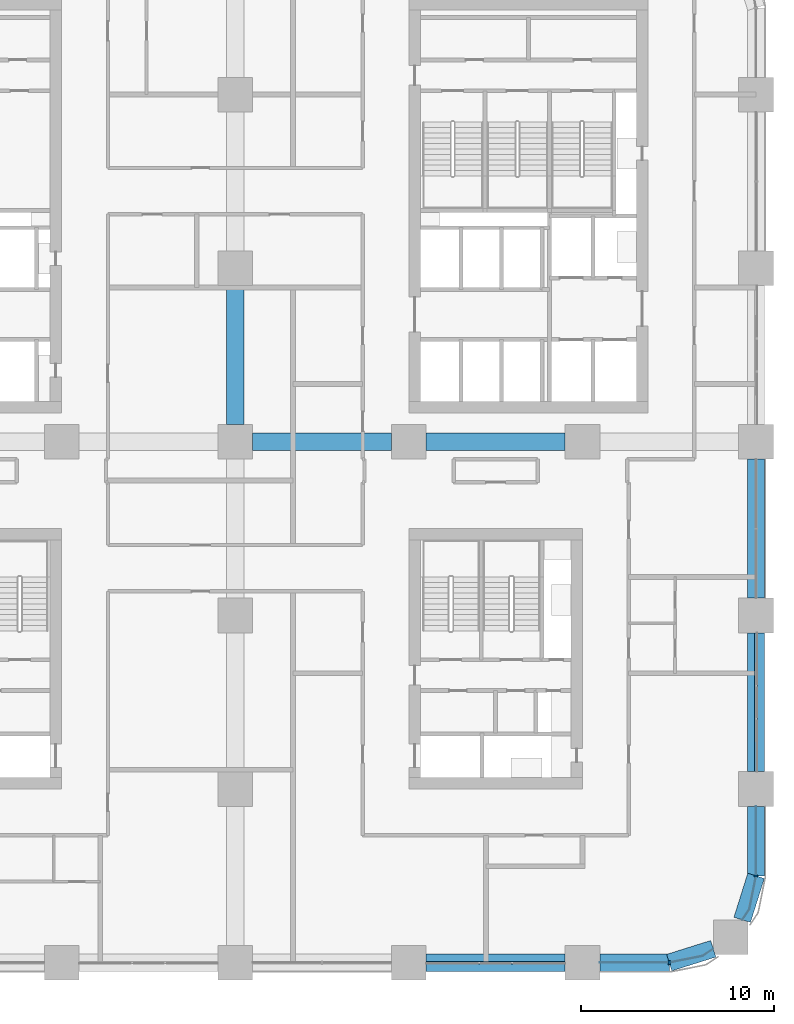
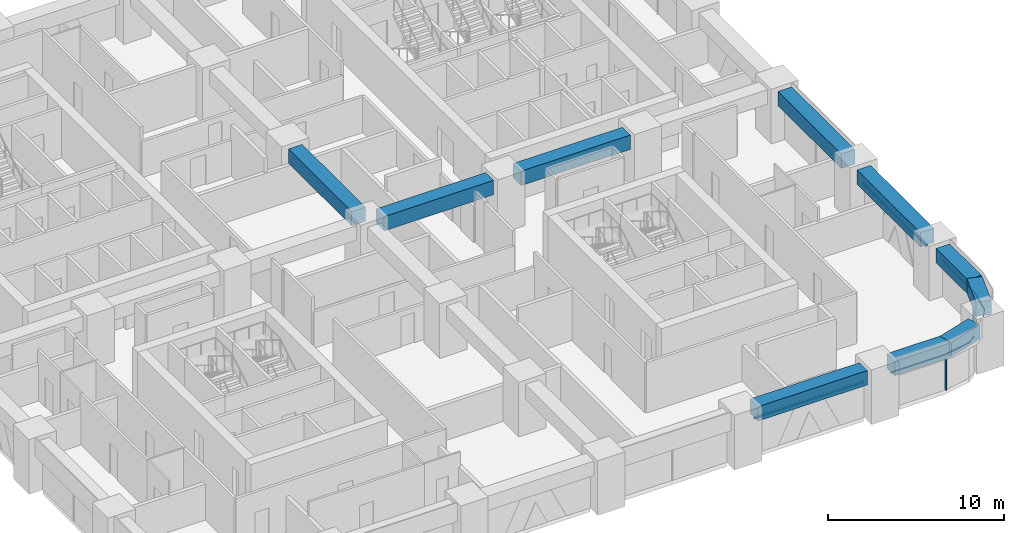
# One storey, part 5 of 21: 10 beams, 6 members, 4 elements without a shape of their own.
"""IFC4 building model written with IfcOpenShell, lengths in metres."""

from ifc_helpers import new_model, si_unit, direction, frame, origin, origin_2d, place, context, subcontext, project, spatial, polyline, rectangle, outline, extrude, material, material_profile, profile_set, type_object, element, aggregate, save


model = new_model("IFC4")

# Units and contexts
model_context = context("Model", 3, precision=1e-05, world=origin(), true_north=direction((0.0, 1.0)))
body_context = subcontext(model_context, "Body", "Model", "MODEL_VIEW")
ifc_project = project(units=[si_unit("LENGTHUNIT", "METRE"), si_unit("AREAUNIT", "SQUARE_METRE"), si_unit("VOLUMEUNIT", "CUBIC_METRE"), si_unit("PLANEANGLEUNIT", "RADIAN"), si_unit("MASSUNIT", "GRAM", prefix="KILO")], contexts=[model_context])

# Site, building, storey
site_placement = place(None, origin())
site = spatial("IfcSite", under=ifc_project, at=site_placement, CompositionType="ELEMENT")
building_placement = place(site_placement, origin())
building = spatial("IfcBuilding", under=site, at=building_placement, Name="Tessera Arch", CompositionType="ELEMENT")
storey_placement = place(building_placement, frame((0.0, 0.0, 50.0)))
storey = spatial("IfcBuildingStorey", under=building, at=storey_placement, Name="L10", CompositionType="ELEMENT", Elevation=50.0)

# Curtain wall, member
ifc_material_1 = material(Name="CW2 curtain wall")
curtain_wall_type_1 = type_object("IfcCurtainWallType", Name="CW2 curtain wall", PredefinedType="NOTDEFINED", material=ifc_material_1)
curtain_wall_1_placement = place(storey_placement, origin())
curtain_wall_1 = element("IfcCurtainWall", 1, at=curtain_wall_1_placement, inside=storey, type_object=curtain_wall_type_1, Name="CW2 curtain wall S0.0/4 L10", PredefinedType="NOTDEFINED")
ifc_material_2 = material(Name="Anodised aluminium pale metal", Category="aluminium")
ifc_material_profile_1 = material_profile(ifc_material_2, rectangle(XDim=0.199951171875, YDim=0.080078125, at=origin_2d()), Name="AL 80x200")
ifc_profile_set_1 = profile_set([ifc_material_profile_1], Name="Anodised aluminium pale metal")
member_type_1 = type_object("IfcMemberType", Name="CW2 mullion", PredefinedType="MULLION", material=ifc_profile_set_1)
member_1_placement = place(storey_placement, frame((49.5, 0.0, 0.0), z_axis=(0.0, 0.0, 1.0), x_axis=(0.0, 1.0, 0.0)))
member_1 = element("IfcMember", 2, at=member_1_placement, type_object=member_type_1, Name="CW2 mullion S0.0/4 1", PredefinedType="MULLION", context=body_context, shape_type="SweptSolid", body=[
    extrude(rectangle(XDim=0.199951171875, YDim=0.080078125, at=origin_2d()), origin(), (0.0, 0.0, 1.0), 2.39990234375),
])

curtain_wall_2_placement = place(storey_placement, origin())
curtain_wall_2 = element("IfcCurtainWall", 3, at=curtain_wall_2_placement, inside=storey, type_object=curtain_wall_type_1, Name="CW2 curtain wall E54.0/0 L10", PredefinedType="NOTDEFINED")
member_2_placement = place(storey_placement, frame((54.0, 4.5, 0.0), z_axis=(0.0, 0.0, 1.0), x_axis=(-1.0, 0.0, 0.0)))
member_2 = element("IfcMember", 4, at=member_2_placement, type_object=member_type_1, Name="CW2 mullion E54.0/0 1", PredefinedType="MULLION", context=body_context, shape_type="SweptSolid", body=[
    extrude(rectangle(XDim=0.199951171875, YDim=0.080078125, at=origin_2d()), origin(), (0.0, 0.0, 1.0), 2.39990234375),
])

# Member
ifc_material_3 = material(Name="Anodised aluminium pale metal", Category="aluminium")
ifc_material_profile_2 = material_profile(ifc_material_3, rectangle(XDim=0.199951171875, YDim=0.10009765625, at=origin_2d()), Name="AL 200x100")
ifc_profile_set_2 = profile_set([ifc_material_profile_2], Name="Anodised aluminium pale metal")
member_type_2 = type_object("IfcMemberType", Name="CW2 transom", PredefinedType="USERDEFINED", material=ifc_profile_set_2)
member_3_placement = place(storey_placement, frame((0.0, 0.0, 2.39990234375)))
member_3 = element("IfcMember", 5, at=member_3_placement, type_object=member_type_2, Name="CW2 transom S0.0/4 1", ObjectType="TRANSOM", PredefinedType="USERDEFINED", context=body_context, shape_type="SweptSolid", body=[
    extrude(outline(polyline([(49.4990234375, 0.010009765625), (45.89990234375, 0.010009765625), (45.89990234375, -0.010009765625), (49.5009765625, -0.010009765625), (51.22607421875, 0.3330078125), (51.78759765625, 0.70849609375), (51.7763671875, 0.72509765625), (51.21826171875, 0.351806640625), (49.4990234375, 0.010009765625)])), origin(), (0.0, 0.0, 1.0), 0.10009765625),
])

aggregate(curtain_wall_1, [member_1, member_3])

member_4_placement = place(storey_placement, frame((0.0, 0.0, 2.39990234375)))
member_4 = element("IfcMember", 6, at=member_4_placement, type_object=member_type_2, Name="CW2 transom E54.0/0 1", ObjectType="TRANSOM", PredefinedType="USERDEFINED", context=body_context, shape_type="SweptSolid", body=[
    extrude(outline(polyline([(53.648193359375, 2.78173828125), (53.27490234375, 2.2236328125), (53.29150390625, 2.21240234375), (53.6669921875, 2.77392578125), (54.010009765625, 4.4990234375), (54.010009765625, 8.10009765625), (53.989990234375, 8.10009765625), (53.989990234375, 4.5009765625), (53.648193359375, 2.78173828125)])), origin(), (0.0, 0.0, 1.0), 0.10009765625),
])

aggregate(curtain_wall_2, [member_2, member_4])

# Curtain wall, member
ifc_material_4 = material(Name="CW3 curtain wall")
curtain_wall_type_2 = type_object("IfcCurtainWallType", Name="CW3 curtain wall", PredefinedType="NOTDEFINED", material=ifc_material_4)
curtain_wall_3_placement = place(storey_placement, origin())
curtain_wall_3 = element("IfcCurtainWall", 7, at=curtain_wall_3_placement, inside=storey, type_object=curtain_wall_type_2, Name="CW3 curtain wall S0.0/3 L10", PredefinedType="NOTDEFINED")
ifc_material_5 = material(Name="Anodised aluminium pale metal", Category="aluminium")
ifc_material_profile_3 = material_profile(ifc_material_5, rectangle(XDim=0.139892578125, YDim=0.10009765625, at=origin_2d()), Name="AL 140x100")
ifc_profile_set_3 = profile_set([ifc_material_profile_3], Name="Anodised aluminium pale metal")
member_type_3 = type_object("IfcMemberType", Name="CW3 transom", PredefinedType="USERDEFINED", material=ifc_profile_set_3)
member_5_placement = place(storey_placement, frame((36.89990234375, 0.0, 2.449951171875), z_axis=(1.0, 0.0, 0.0), x_axis=(0.0, 1.0, 0.0)))
member_5 = element("IfcMember", 8, at=member_5_placement, type_object=member_type_3, Name="CW3 transom S0.0/3 1.1", ObjectType="TRANSOM", PredefinedType="USERDEFINED", context=body_context, shape_type="SweptSolid", body=[
    extrude(rectangle(XDim=0.139892578125, YDim=0.10009765625, at=origin_2d()), origin(), (0.0, 0.0, 1.0), 7.2001953125),
])
aggregate(curtain_wall_3, [member_5])

curtain_wall_4_placement = place(storey_placement, origin())
curtain_wall_4 = element("IfcCurtainWall", 9, at=curtain_wall_4_placement, inside=storey, type_object=curtain_wall_type_2, Name="CW3 curtain wall E54.0/1 L10", PredefinedType="NOTDEFINED")
member_6_placement = place(storey_placement, frame((54.0, 9.89990234375, 2.449951171875), z_axis=(0.0, 1.0, 0.0), x_axis=(-1.0, 0.0, 0.0)))
member_6 = element("IfcMember", 10, at=member_6_placement, type_object=member_type_3, Name="CW3 transom E54.0/1 1.1", ObjectType="TRANSOM", PredefinedType="USERDEFINED", context=body_context, shape_type="SweptSolid", body=[
    extrude(rectangle(XDim=0.139892578125, YDim=0.10009765625, at=origin_2d()), origin(), (0.0, 0.0, 1.0), 7.2001953125),
])
aggregate(curtain_wall_4, [member_6])

# Beams
ifc_material_6 = material(Name="Concrete C80/95", Category="concrete")
ifc_material_profile_4 = material_profile(ifc_material_6, rectangle(XDim=0.89990234375, YDim=1.0, at=origin_2d()), Name="RC spandrel beam 900 x 1000 Concrete C80/95")
ifc_profile_set_4 = profile_set([ifc_material_profile_4], Name="Concrete C80/95")
beam_type = type_object("IfcBeamType", Name="RC spandrel beam 900 x 1000 Concrete C80/95", PredefinedType="BEAM", material=ifc_profile_set_4)
beam_1_placement = place(storey_placement, frame((36.89990234375, 0.0, 3.0), z_axis=(1.0, 0.0, 0.0), x_axis=(0.0, 1.0, 0.0)))
element("IfcBeam", 11, at=beam_1_placement, inside=storey, type_object=beam_type, Name="Spandrel beam L10 S0.0/3", PredefinedType="BEAM", context=body_context, shape_type="SweptSolid", body=[
    extrude(rectangle(XDim=0.89990234375, YDim=1.0, at=origin_2d()), origin(), (0.0, 0.0, 1.0), 7.2001953125),
])
beam_2_placement = place(storey_placement, frame((45.89990234375, 0.0, 3.0), z_axis=(1.0, 0.0, 0.0), x_axis=(0.0, 1.0, 0.0)))
element("IfcBeam", 12, at=beam_2_placement, inside=storey, type_object=beam_type, Name="Spandrel beam L10 S0.0/4.1", PredefinedType="BEAM", context=body_context, shape_type="SweptSolid", body=[
    extrude(rectangle(XDim=0.89990234375, YDim=1.0, at=origin_2d()), origin(), (0.0, 0.0, 1.0), 3.60009765625),
])
for number, where, z_axis, x_axis, name in (
    (13, (49.5, 0.0, 3.0), (0.954041251279, 0.299675309057, 0.0), (-0.299675309057, 0.954041251279, 0.0), "Spandrel beam L10 S0.0/4.2"),
    (14, (53.283203125, 2.218017578125, 3.0), (0.299675309057, 0.954041251279, 0.0), (-0.954041251279, 0.299675309057, 0.0), "Spandrel beam L10 E54.0/0.1"),
):
    element("IfcBeam", number, at=place(storey_placement, frame(where, z_axis=z_axis, x_axis=x_axis)), inside=storey, type_object=beam_type, Name=name, PredefinedType="BEAM", context=body_context, shape_type="SweptSolid", body=[
        extrude(rectangle(XDim=0.89990234375, YDim=1.0, at=origin_2d()), origin(), (0.0, 0.0, 1.0), 2.391845703125),
    ])
beam_3_placement = place(storey_placement, frame((54.0, 4.5, 3.0), z_axis=(0.0, 1.0, 0.0), x_axis=(-1.0, 0.0, 0.0)))
element("IfcBeam", 15, at=beam_3_placement, inside=storey, type_object=beam_type, Name="Spandrel beam L10 E54.0/0.2", PredefinedType="BEAM", context=body_context, shape_type="SweptSolid", body=[
    extrude(rectangle(XDim=0.89990234375, YDim=1.0, at=origin_2d()), origin(), (0.0, 0.0, 1.0), 3.60009765625),
])
for number, where, z_axis, x_axis, name in (
    (16, (54.0, 9.89990234375, 3.0), (0.0, 1.0, 0.0), (-1.0, 0.0, 0.0), "Spandrel beam L10 E54.0/1"),
    (17, (54.0, 18.89990234375, 3.0), (0.0, 1.0, 0.0), (-1.0, 0.0, 0.0), "Spandrel beam L10 E54.0/2"),
    (18, (27.0, 27.89990234375, 3.0), (0.0, 1.0, 0.0), (-1.0, 0.0, 0.0), "Interface beam L10 I0C4D-C4E"),
    (19, (27.89990234375, 27.0, 3.0), (1.0, 0.0, 0.0), (0.0, 1.0, 0.0), "Interface beam L10 I1C4D-C5D"),
    (20, (36.89990234375, 27.0, 3.0), (1.0, 0.0, 0.0), (0.0, 1.0, 0.0), "Interface beam L10 I1C5D-C6D"),
):
    element("IfcBeam", number, at=place(storey_placement, frame(where, z_axis=z_axis, x_axis=x_axis)), inside=storey, type_object=beam_type, Name=name, PredefinedType="BEAM", context=body_context, shape_type="SweptSolid", body=[
        extrude(rectangle(XDim=0.89990234375, YDim=1.0, at=origin_2d()), origin(), (0.0, 0.0, 1.0), 7.2001953125),
    ])

save(model, "model.ifc")
